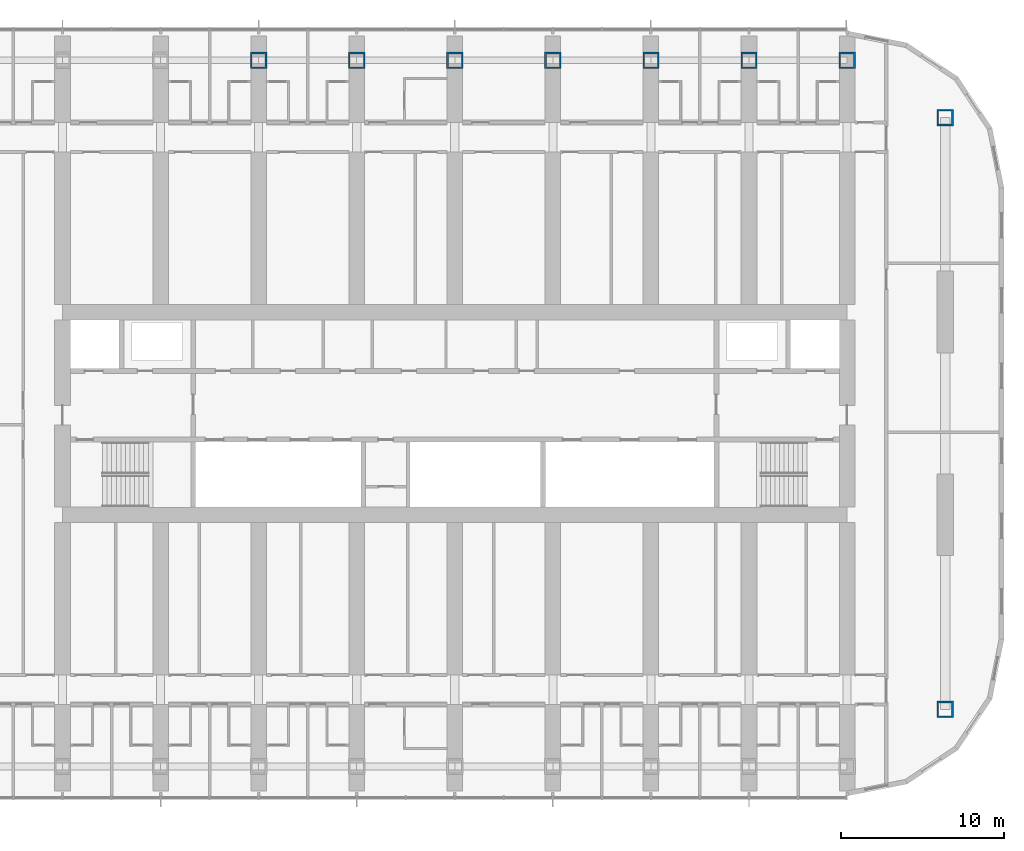
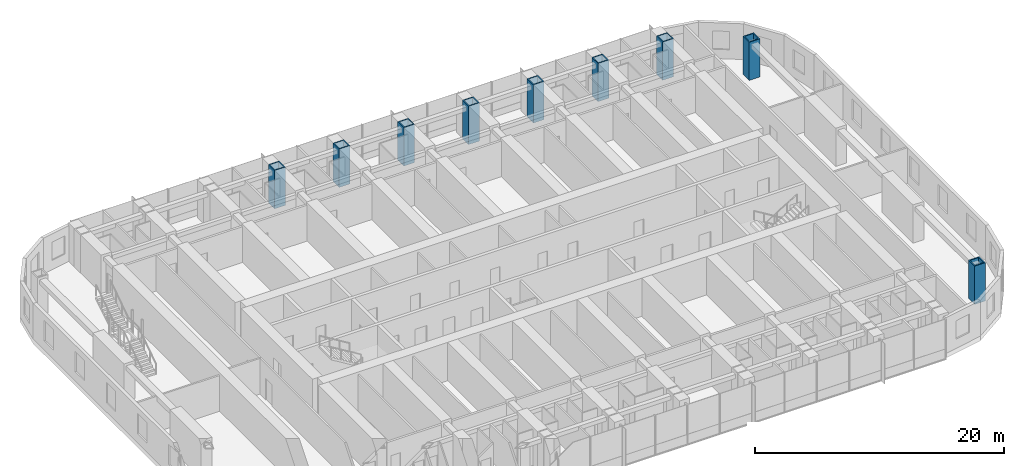
# One storey, part 3 of 25: 9 columns.
"""IFC4 building model written with IfcOpenShell, lengths in metres."""

from ifc_helpers import new_model, si_unit, direction, frame, origin, origin_2d, place, context, subcontext, project, spatial, hollow_rectangle, extrude, material, material_profile, profile_set, type_object, element, save


model = new_model("IFC4")

# Units and contexts
model_context = context("Model", 3, precision=1e-05, world=origin(), true_north=direction((0.0, 1.0)))
body_context = subcontext(model_context, "Body", "Model", "MODEL_VIEW")
ifc_project = project(units=[si_unit("LENGTHUNIT", "METRE"), si_unit("AREAUNIT", "SQUARE_METRE"), si_unit("VOLUMEUNIT", "CUBIC_METRE"), si_unit("PLANEANGLEUNIT", "RADIAN"), si_unit("MASSUNIT", "GRAM", prefix="KILO")], contexts=[model_context])

# Site, building, storey
site_placement = place(None, origin())
site = spatial("IfcSite", under=ifc_project, at=site_placement, CompositionType="ELEMENT")
building_placement = place(site_placement, origin())
building = spatial("IfcBuilding", under=site, at=building_placement, Name="Orbita Commons", CompositionType="ELEMENT")
storey_placement = place(building_placement, frame((0.0, 0.0, 84.39990234375)))
storey = spatial("IfcBuildingStorey", under=building, at=storey_placement, Name="L20", CompositionType="ELEMENT", Elevation=84.39990234375)

# Columns
ifc_material = material(Name="Steel ASTM A572 Gr 50 welded plate", Category="steel")
ifc_material_profile = material_profile(ifc_material, hollow_rectangle(XDim=1.0, YDim=1.0, WallThickness=0.10009765625, at=origin_2d()), Name="BOX 1000x1000x100")
ifc_profile_set = profile_set([ifc_material_profile], Name="Steel ASTM A572 Gr 50 welded plate")
column_type = type_object("IfcColumnType", Name="Steel column BOX 1000x1000x100", PredefinedType="COLUMN", material=ifc_profile_set)
for number, where, z_axis, x_axis, name in (
    (1, (30.0, 53.60009765625, 0.0), (0.0, 0.0, 1.0), (1.0, 0.0, 0.0), "Column 6/E L20"),
    (2, (36.0, 53.60009765625, 0.0), (0.0, 0.0, 1.0), (1.0, 0.0, 0.0), "Column 7/E L20"),
    (3, (42.0, 53.60009765625, 0.0), (0.0, 0.0, 1.0), (1.0, 0.0, 0.0), "Column 8/E L20"),
    (4, (48.0, 53.60009765625, 0.0), (0.0, 0.0, 1.0), (1.0, 0.0, 0.0), "Column 9/E L20"),
    (5, (54.0, 53.60009765625, 0.0), (0.0, 0.0, 1.0), (1.0, 0.0, 0.0), "Column 10/E L20"),
    (6, (60.0, 53.60009765625, 0.0), (0.0, 0.0, 1.0), (1.0, 0.0, 0.0), "Column 11/E L20"),
    (7, (66.0, 53.60009765625, 0.0), (0.0, 0.0, 1.0), (1.0, 0.0, 0.0), "Column 12/E L20"),
    (8, (72.0, 13.89990234375, 0.0), (0.0, 0.0, 1.0), (1.0, 0.0, 0.0), "Column 13/13.9 L20"),
    (9, (72.0, 50.10009765625, 0.0), (0.0, 0.0, 1.0), (1.0, 0.0, 0.0), "Column 13/50.1 L20"),
):
    element("IfcColumn", number, at=place(storey_placement, frame(where, z_axis=z_axis, x_axis=x_axis)), inside=storey, type_object=column_type, Name=name, PredefinedType="COLUMN", context=body_context, shape_type="SweptSolid", body=[
        extrude(hollow_rectangle(XDim=1.0, YDim=1.0, WallThickness=0.10009765625, at=origin_2d()), origin(), (0.0, 0.0, 1.0), 3.75),
    ])

save(model, "model.ifc")
